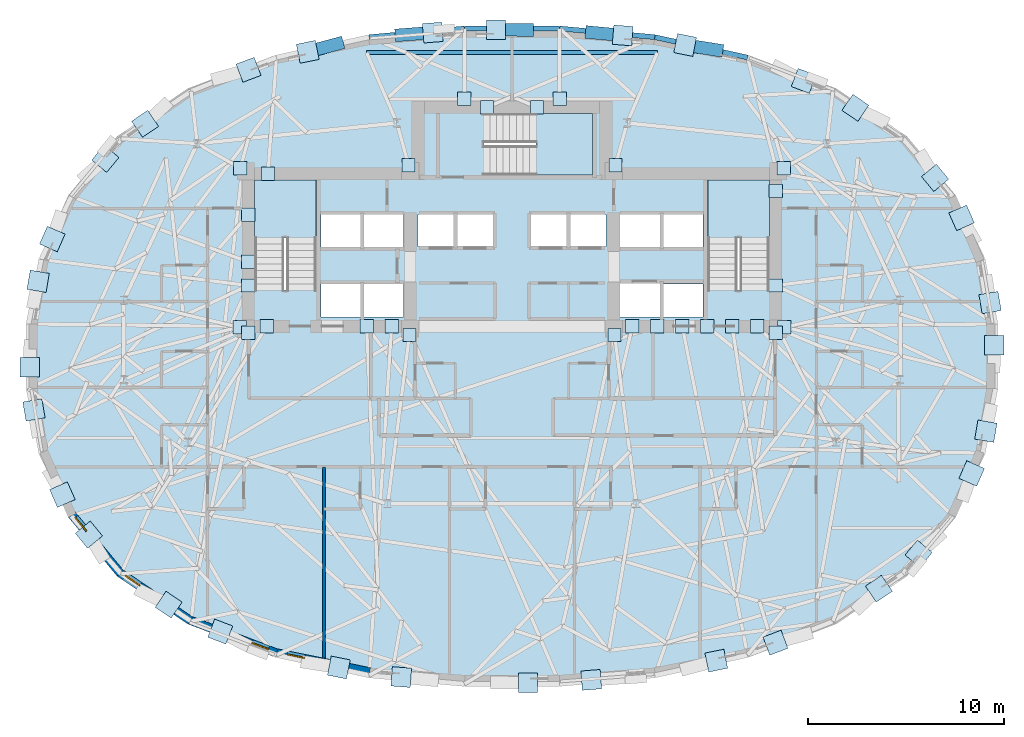
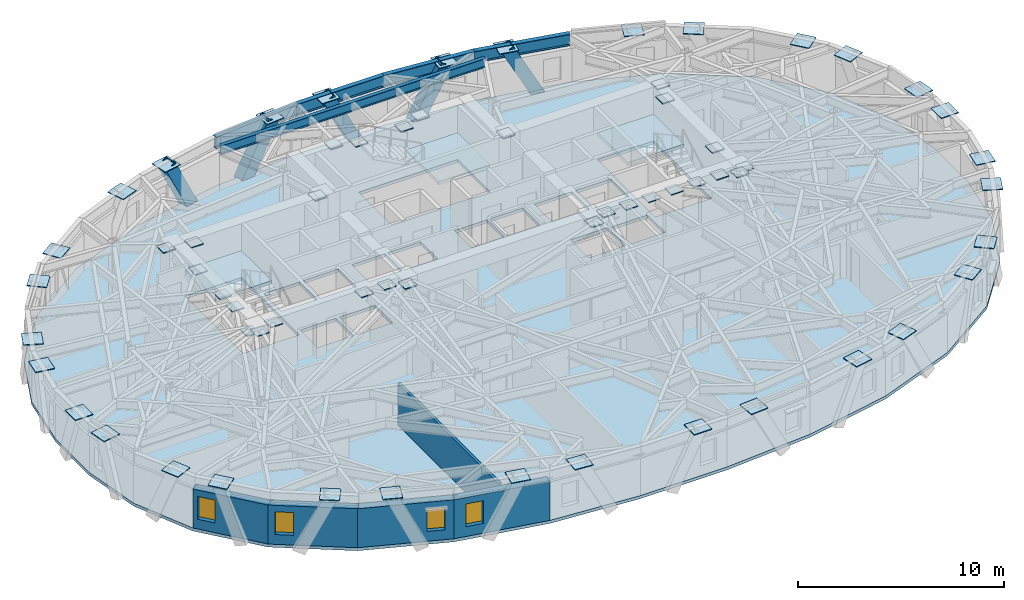
# One storey, part 5 of 15: 61 plates, 5 beams, 5 members, 5 walls, 4 slabs, 4 windows, 4 openings, 3 elements without a shape of their own.
"""IFC4 building model written with IfcOpenShell, lengths in metres."""

from ifc_helpers import new_model, si_unit, direction, frame, frame_2d, origin, origin_2d, place, context, subcontext, project, spatial, polyline, rectangle, hollow_rectangle, i_section, outline, extrude, material, layer, layer_set, material_profile, profile_set, type_object, element, fill, aggregate, save


model = new_model("IFC4")

# Units and contexts
model_context = context("Model", 3, precision=1e-05, world=origin(), true_north=direction((0.0, 1.0)))
body_context = subcontext(model_context, "Body", "Model", "MODEL_VIEW")
ifc_project = project(units=[si_unit("LENGTHUNIT", "METRE"), si_unit("AREAUNIT", "SQUARE_METRE"), si_unit("VOLUMEUNIT", "CUBIC_METRE"), si_unit("PLANEANGLEUNIT", "RADIAN"), si_unit("MASSUNIT", "GRAM", prefix="KILO")], contexts=[model_context])

# Site, building, storey
site_placement = place(None, origin())
site = spatial("IfcSite", under=ifc_project, at=site_placement, CompositionType="ELEMENT")
building_placement = place(site_placement, origin())
building = spatial("IfcBuilding", under=site, at=building_placement, Name="Keldmark Tower", CompositionType="ELEMENT")
storey_placement = place(building_placement, frame((0.0, 0.0, 150.199951171875)))
storey = spatial("IfcBuildingStorey", under=building, at=storey_placement, Name="L40", CompositionType="ELEMENT", Elevation=150.199951171875)

# Members
ifc_material_1 = material(Name="Steel ASTM A572 Grade 50", Category="steel")
ifc_material_profile_1 = material_profile(ifc_material_1, hollow_rectangle(XDim=0.64990234375, YDim=0.64990234375, WallThickness=0.0400390625, at=origin_2d()), Name="BOX650X650X40")
ifc_profile_set_1 = profile_set([ifc_material_profile_1], Name="Steel ASTM A572 Grade 50")
member_type = type_object("IfcMemberType", Name="Diagrid Zone 3 Brace BOX650X650X40", PredefinedType="BRACE", material=ifc_profile_set_1)
member_1_placement = place(storey_placement, frame((10.4892578125, 15.640869140625, -0.260009765625), z_axis=(-0.460076413908, 0.072942278401, 0.884878024016), x_axis=(-0.156588037619, -0.987664004849, 0.0)))
element("IfcMember", 1, at=member_1_placement, inside=storey, type_object=member_type, Name="L40 Perimeter Diagrid Brace 03B", PredefinedType="BRACE", context=body_context, shape_type="SweptSolid", body=[
    extrude(hollow_rectangle(XDim=0.64990234375, YDim=0.64990234375, WallThickness=0.0400390625, at=origin_2d()), origin(), (0.0, 0.0, 1.0), 3.5712890625),
])
member_2_placement = place(storey_placement, frame((4.041015625, 16.54150390625, -0.260009765625), z_axis=(0.454817732404, -0.042540371163, 0.889567955309), x_axis=(0.093126324045, 0.995654301337, 0.0)))
element("IfcMember", 2, at=member_2_placement, inside=storey, type_object=member_type, Name="L40 Perimeter Diagrid Brace 04A", PredefinedType="BRACE", context=body_context, shape_type="SweptSolid", body=[
    extrude(hollow_rectangle(XDim=0.64990234375, YDim=0.64990234375, WallThickness=0.0400390625, at=origin_2d()), origin(), (0.0, 0.0, 1.0), 3.552490234375),
])
member_3_placement = place(storey_placement, frame((0.80419921875, 16.666748046875, -0.260009765625), z_axis=(-0.456424007227, 0.004330528984, 0.889751859872), x_axis=(-0.009487524778, -0.999954992424, 0.0)))
element("IfcMember", 3, at=member_3_placement, inside=storey, type_object=member_type, Name="L40 Perimeter Diagrid Brace 04B", PredefinedType="BRACE", context=body_context, shape_type="SweptSolid", body=[
    extrude(hollow_rectangle(XDim=0.64990234375, YDim=0.64990234375, WallThickness=0.0400390625, at=origin_2d()), origin(), (0.0, 0.0, 1.0), 3.5517578125),
])
member_4_placement = place(storey_placement, frame((-5.680419921875, 16.41162109375, -0.260009765625), z_axis=(0.458757917557, 0.034708658236, 0.88788314666), x_axis=(-0.075442282616, 0.997150170232, 0.0)))
element("IfcMember", 4, at=member_4_placement, inside=storey, type_object=member_type, Name="L40 Perimeter Diagrid Brace 05A", PredefinedType="BRACE", context=body_context, shape_type="SweptSolid", body=[
    extrude(hollow_rectangle(XDim=0.64990234375, YDim=0.64990234375, WallThickness=0.0400390625, at=origin_2d()), origin(), (0.0, 0.0, 1.0), 3.55908203125),
])
member_5_placement = place(storey_placement, frame((-8.8984375, 15.96142578125, -0.260009765625), z_axis=(-0.434777676357, -0.116179880512, 0.893012098186), x_axis=(0.258158777298, -0.96610250269, 0.0)))
element("IfcMember", 5, at=member_5_placement, inside=storey, type_object=member_type, Name="L40 Perimeter Diagrid Brace 05B", PredefinedType="BRACE", context=body_context, shape_type="SweptSolid", body=[
    extrude(hollow_rectangle(XDim=0.64990234375, YDim=0.64990234375, WallThickness=0.0400390625, at=origin_2d()), origin(), (0.0, 0.0, 1.0), 3.538818359375),
])

# Beams
ifc_material_2 = material(Name="Steel ASTM A992 Grade 50", Category="steel")
ifc_material_profile_2 = material_profile(ifc_material_2, i_section(OverallWidth=0.2099609375, OverallDepth=0.537109375, WebThickness=0.010986328125, FlangeThickness=0.017333984375, at=origin_2d()), Name="W21X68")
ifc_profile_set_2 = profile_set([ifc_material_profile_2], Name="Steel ASTM A992 Grade 50")
beam_type_1 = type_object("IfcBeamType", Name="Radial Tie Girder W21X68", PredefinedType="BEAM", material=ifc_profile_set_2)
beam_1_placement = place(storey_placement, frame((-7.43017578125, 15.515869140625, 2.75146484375), z_axis=(1.0, 0.0, 0.0), x_axis=(0.0, 1.0, 0.0)))
element("IfcBeam", 6, at=beam_1_placement, inside=storey, type_object=beam_type_1, Name="L40 North Outer Header Girder FG-TCN-H1", PredefinedType="BEAM", context=body_context, shape_type="SweptSolid", body=[
    extrude(i_section(OverallWidth=0.2099609375, OverallDepth=0.537109375, WebThickness=0.010986328125, FlangeThickness=0.017333984375, at=origin_2d()), origin(), (0.0, 0.0, 1.0), 14.8603515625),
])
ifc_material_3 = material(Name="Steel ASTM A992 Grade 50", Category="steel")
ifc_material_profile_3 = material_profile(ifc_material_3, i_section(OverallWidth=0.256103515625, OverallDepth=0.693115234375, WebThickness=0.014404296875, FlangeThickness=0.023681640625, at=origin_2d()), Name="W27X114")
ifc_profile_set_3 = profile_set([ifc_material_profile_3], Name="Steel ASTM A992 Grade 50")
beam_type_2 = type_object("IfcBeamType", Name="Spandrel Ring Beam W27X114", PredefinedType="SPANDREL", material=ifc_profile_set_3)
beam_2_placement = place(storey_placement, frame((12.0341796875, 15.260986328125, 2.673583984375), z_axis=(-0.976767211892, 0.214303088576, 0.0), x_axis=(-0.214303088576, -0.976767211892, 0.0)))
element("IfcBeam", 7, at=beam_2_placement, inside=storey, type_object=beam_type_2, Name="L40 Perimeter Spandrel Ring Beam SRB-06", PredefinedType="SPANDREL", context=body_context, shape_type="SweptSolid", body=[
    extrude(i_section(OverallWidth=0.256103515625, OverallDepth=0.693115234375, WebThickness=0.014404296875, FlangeThickness=0.023681640625, at=origin_2d()), origin(), (0.0, 0.0, 1.0), 4.85205078125),
])
beam_3_placement = place(storey_placement, frame((7.294921875, 16.30078125, 2.673583984375), z_axis=(-0.995909176303, 0.090359905683, 0.0), x_axis=(-0.090359905683, -0.995909176303, 0.0)))
element("IfcBeam", 8, at=beam_3_placement, inside=storey, type_object=beam_type_2, Name="L40 Perimeter Spandrel Ring Beam SRB-07", PredefinedType="SPANDREL", context=body_context, shape_type="SweptSolid", body=[
    extrude(i_section(OverallWidth=0.256103515625, OverallDepth=0.693115234375, WebThickness=0.014404296875, FlangeThickness=0.023681640625, at=origin_2d()), origin(), (0.0, 0.0, 1.0), 4.88232421875),
])
beam_4_placement = place(storey_placement, frame((2.4326171875, 16.741943359375, 2.673583984375), z_axis=(-1.0, 0.0, 0.0), x_axis=(0.0, -1.0, 0.0)))
element("IfcBeam", 9, at=beam_4_placement, inside=storey, type_object=beam_type_2, Name="L40 Perimeter Spandrel Ring Beam SRB-08", PredefinedType="SPANDREL", context=body_context, shape_type="SweptSolid", body=[
    extrude(i_section(OverallWidth=0.256103515625, OverallDepth=0.693115234375, WebThickness=0.014404296875, FlangeThickness=0.023681640625, at=origin_2d()), origin(), (0.0, 0.0, 1.0), 4.865234375),
])
beam_5_placement = place(storey_placement, frame((-2.4326171875, 16.741943359375, 2.673583984375), z_axis=(-0.995909176303, -0.090359905683, 0.0), x_axis=(0.090359905683, -0.995909176303, 0.0)))
element("IfcBeam", 10, at=beam_5_placement, inside=storey, type_object=beam_type_2, Name="L40 Perimeter Spandrel Ring Beam SRB-09", PredefinedType="SPANDREL", context=body_context, shape_type="SweptSolid", body=[
    extrude(i_section(OverallWidth=0.256103515625, OverallDepth=0.693115234375, WebThickness=0.014404296875, FlangeThickness=0.023681640625, at=origin_2d()), origin(), (0.0, 0.0, 1.0), 4.88232421875),
])

# Plates
ifc_material_4 = material(Name="Steel ASTM A572 Grade 50", Category="steel")
ifc_layer_1 = layer(ifc_material_4, 0.06005859375)
ifc_layer_set_1 = layer_set([ifc_layer_1], Name="Steel ASTM A572 Grade 50")
plate_type_1 = type_object("IfcPlateType", Name="Belt Truss Kink Node Assembly KN01 60 mm", PredefinedType="USERDEFINED", material=ifc_layer_set_1)
for number, where, z_axis, x_axis, name in (
    (11, (13.91162109375, 1.473388671875, 2.72412109375), (0.0, 0.0, 1.0), (1.0, 0.0, 0.0), "L40 Core Wall Cast-In Embed Plate 1175"),
    (12, (13.878173828125, 9.608154296875, 2.72412109375), (0.0, 0.0, 1.0), (1.0, 0.0, 0.0), "L40 Core Wall Cast-In Embed Plate 1176"),
    (13, (5.28515625, 9.758544921875, 2.72412109375), (0.0, 0.0, 1.0), (1.0, 0.0, 0.0), "L40 Core Wall Cast-In Embed Plate 1177"),
    (14, (-5.28515625, 9.758544921875, 2.72412109375), (0.0, 0.0, 1.0), (1.0, 0.0, 0.0), "L40 Core Wall Cast-In Embed Plate 1178"),
    (15, (-13.878173828125, 9.608154296875, 2.72412109375), (0.0, 0.0, 1.0), (1.0, 0.0, 0.0), "L40 Core Wall Cast-In Embed Plate 1179"),
    (16, (-13.91162109375, 1.473388671875, 2.72412109375), (0.0, 0.0, 1.0), (1.0, 0.0, 0.0), "L40 Core Wall Cast-In Embed Plate 1180"),
    (17, (-5.24072265625, 1.08251953125, 2.72412109375), (0.0, 0.0, 1.0), (1.0, 0.0, 0.0), "L40 Core Wall Cast-In Embed Plate 1181"),
    (18, (5.24072265625, 1.08251953125, 2.72412109375), (0.0, 0.0, 1.0), (1.0, 0.0, 0.0), "L40 Core Wall Cast-In Embed Plate 1182"),
    (19, (-12.52490234375, 1.52490234375, 2.72412109375), (0.0, 0.0, 1.0), (1.0, 0.0, 0.0), "L40 Core Wall Cast-In Embed Plate 1183"),
    (20, (11.25, 1.52490234375, 2.72412109375), (0.0, 0.0, 1.0), (1.0, 0.0, 0.0), "L40 Core Wall Cast-In Embed Plate 1184"),
    (21, (13.47509765625, 3.6142578125, 2.72412109375), (0.0, 0.0, 1.0), (1.0, 0.0, 0.0), "L40 Core Wall Cast-In Embed Plate 1185"),
    (22, (13.47509765625, 8.44287109375, 2.72412109375), (0.0, 0.0, 1.0), (1.0, 0.0, 0.0), "L40 Core Wall Cast-In Embed Plate 1186"),
    (23, (-12.468017578125, 9.324951171875, 2.72412109375), (0.0, 0.0, 1.0), (1.0, 0.0, 0.0), "L40 Core Wall Cast-In Embed Plate 1187"),
    (24, (-13.47509765625, 4.8212890625, 2.72412109375), (0.0, 0.0, 1.0), (1.0, 0.0, 0.0), "L40 Core Wall Cast-In Embed Plate 1188"),
    (25, (-13.47509765625, 3.6142578125, 2.72412109375), (0.0, 0.0, 1.0), (1.0, 0.0, 0.0), "L40 Core Wall Cast-In Embed Plate 1189"),
    (26, (-13.47509765625, 1.199951171875, 2.72412109375), (0.0, 0.0, 1.0), (1.0, 0.0, 0.0), "L40 Core Wall Cast-In Embed Plate 1190"),
    (27, (-13.47509765625, 7.235595703125, 2.72412109375), (0.0, 0.0, 1.0), (1.0, 0.0, 0.0), "L40 Core Wall Cast-In Embed Plate 1191"),
    (28, (7.425048828125, 1.52490234375, 2.72412109375), (0.0, 0.0, 1.0), (1.0, 0.0, 0.0), "L40 Core Wall Cast-In Embed Plate 1192"),
    (29, (-7.425048828125, 1.52490234375, 2.72412109375), (0.0, 0.0, 1.0), (1.0, 0.0, 0.0), "L40 Core Wall Cast-In Embed Plate 1193"),
    (30, (-6.14990234375, 1.52490234375, 2.72412109375), (0.0, 0.0, 1.0), (1.0, 0.0, 0.0), "L40 Core Wall Cast-In Embed Plate 1194"),
    (31, (6.14990234375, 1.52490234375, 2.72412109375), (0.0, 0.0, 1.0), (1.0, 0.0, 0.0), "L40 Core Wall Cast-In Embed Plate 1195"),
    (32, (13.47509765625, 1.199951171875, 2.72412109375), (0.0, 0.0, 1.0), (1.0, 0.0, 0.0), "L40 Core Wall Cast-In Embed Plate 1196"),
    (33, (8.699951171875, 1.52490234375, 2.72412109375), (0.0, 0.0, 1.0), (1.0, 0.0, 0.0), "L40 Core Wall Cast-In Embed Plate 1197"),
    (34, (9.97509765625, 1.52490234375, 2.72412109375), (0.0, 0.0, 1.0), (1.0, 0.0, 0.0), "L40 Core Wall Cast-In Embed Plate 1198"),
    (35, (12.52490234375, 1.52490234375, 2.72412109375), (0.0, 0.0, 1.0), (1.0, 0.0, 0.0), "L40 Core Wall Cast-In Embed Plate 1199"),
    (36, (2.4326171875, 13.14990234375, 2.72412109375), (0.0, 0.0, 1.0), (1.0, 0.0, 0.0), "L40 Core Wall Cast-In Embed Plate 1200"),
    (37, (-2.4326171875, 13.14990234375, 2.72412109375), (0.0, 0.0, 1.0), (1.0, 0.0, 0.0), "L40 Core Wall Cast-In Embed Plate 1201"),
    (38, (-1.28125, 12.72509765625, 2.72412109375), (0.0, 0.0, 1.0), (1.0, 0.0, 0.0), "L40 Core Wall Cast-In Embed Plate 1202"),
    (39, (1.28125, 12.72509765625, 2.72412109375), (0.0, 0.0, 1.0), (1.0, 0.0, 0.0), "L40 Core Wall Cast-In Embed Plate 1203"),
):
    element("IfcPlate", number, at=place(storey_placement, frame(where, z_axis=z_axis, x_axis=x_axis)), inside=storey, type_object=plate_type_1, Name=name, ObjectType="CAP PLATE", PredefinedType="USERDEFINED", context=body_context, shape_type="SweptSolid", body=[
        extrude(rectangle(XDim=0.679931640625, YDim=0.679931640625, at=origin_2d()), origin(), (0.0, 0.0, 1.0), 0.054931640625),
    ])
ifc_material_5 = material(Name="Steel ASTM A572 Grade 50", Category="steel")
ifc_layer_2 = layer(ifc_material_5, 0.044921875)
ifc_layer_set_2 = layer_set([ifc_layer_2], Name="Steel ASTM A572 Grade 50")
plate_type_2 = type_object("IfcPlateType", Name="Diagrid Node Assembly DN04 45 mm", PredefinedType="USERDEFINED", material=ifc_layer_set_2)
for number, where, z_axis, x_axis, name in (
    (40, (24.422119140625, 2.74169921875, 2.877685546875), (0.0, 0.0, 1.0), (-0.168145293887, 0.985762222924, 0.0), "L40 Diagrid Node Assembly 01"),
    (41, (22.968017578125, 7.069091796875, 2.877685546875), (0.0, 0.0, 1.0), (-0.404024312775, 0.914748246616, 0.0), "L40 Diagrid Node Assembly 02"),
    (42, (21.614990234375, 9.11376953125, 2.877685546875), (0.0, 0.0, 1.0), (-0.6370204626, 0.770846891561, 0.0), "L40 Diagrid Node Assembly 03"),
    (43, (17.540771484375, 12.692626953125, 2.877685546875), (0.0, 0.0, 1.0), (-0.827766671236, 0.56107248907, 0.0), "L40 Diagrid Node Assembly 04"),
    (44, (14.902099609375, 14.0673828125, 2.877685546875), (0.0, 0.0, 1.0), (-0.934887640014, 0.354943799141, 0.0), "L40 Diagrid Node Assembly 05"),
    (45, (8.84619140625, 15.9013671875, 2.877685546875), (0.0, 0.0, 1.0), (-0.980028959096, 0.198854819736, 0.0), "L40 Diagrid Node Assembly 06"),
    (46, (5.65673828125, 16.390380859375, 2.877685546875), (0.0, 0.0, 1.0), (-0.996944660388, 0.078111101158, 0.0), "L40 Diagrid Node Assembly 07"),
    (47, (-0.81689453125, 16.68212890625, 2.877685546875), (0.0, 0.0, 1.0), (-1.0, 0.0, 0.0), "L40 Diagrid Node Assembly 08"),
    (48, (-4.047607421875, 16.53515625, 2.877685546875), (0.0, 0.0, 1.0), (-0.996944660388, -0.078111101158, 0.0), "L40 Diagrid Node Assembly 09"),
    (49, (-10.43701171875, 15.55029296875, 2.877685546875), (0.0, 0.0, 1.0), (-0.980028959096, -0.198854819736, 0.0), "L40 Diagrid Node Assembly 10"),
    (50, (-13.458740234375, 14.634521484375, 2.877685546875), (0.0, 0.0, 1.0), (-0.934887640014, -0.354943799141, 0.0), "L40 Diagrid Node Assembly 11"),
    (51, (-18.742919921875, 11.875, 2.877685546875), (0.0, 0.0, 1.0), (-0.827766671236, -0.56107248907, 0.0), "L40 Diagrid Node Assembly 12"),
    (52, (-20.77490234375, 10.089111328125, 2.877685546875), (0.0, 0.0, 1.0), (-0.6370204626, -0.770846891561, 0.0), "L40 Diagrid Node Assembly 13"),
    (53, (-23.48388671875, 5.9873046875, 2.877685546875), (0.0, 0.0, 1.0), (-0.404024312775, -0.914748246616, 0.0), "L40 Diagrid Node Assembly 14"),
    (54, (-24.20751953125, 3.828857421875, 2.877685546875), (0.0, 0.0, 1.0), (-0.168145293887, -0.985762222924, 0.0), "L40 Diagrid Node Assembly 15"),
    (55, (-24.638916015625, -0.555419921875, 2.877685546875), (0.0, 0.0, 1.0), (0.0, -1.0, 0.0), "L40 Diagrid Node Assembly 16"),
    (56, (-24.422119140625, -2.74169921875, 2.877685546875), (0.0, 0.0, 1.0), (0.168145293887, -0.985762222924, 0.0), "L40 Diagrid Node Assembly 17"),
    (57, (-22.968017578125, -7.069091796875, 2.877685546875), (0.0, 0.0, 1.0), (0.404024312775, -0.914748246616, 0.0), "L40 Diagrid Node Assembly 18"),
    (58, (-21.614990234375, -9.11376953125, 2.877685546875), (0.0, 0.0, 1.0), (0.6370204626, -0.770846891561, 0.0), "L40 Diagrid Node Assembly 19"),
    (59, (-17.540771484375, -12.692626953125, 2.877685546875), (0.0, 0.0, 1.0), (0.827766671236, -0.56107248907, 0.0), "L40 Diagrid Node Assembly 20"),
    (60, (-14.902099609375, -14.0673828125, 2.877685546875), (0.0, 0.0, 1.0), (0.934887640014, -0.354943799141, 0.0), "L40 Diagrid Node Assembly 21"),
    (61, (-8.84619140625, -15.9013671875, 2.877685546875), (0.0, 0.0, 1.0), (0.980028959096, -0.198854819736, 0.0), "L40 Diagrid Node Assembly 22"),
    (62, (-5.65673828125, -16.390380859375, 2.877685546875), (0.0, 0.0, 1.0), (0.996944660388, -0.078111101158, 0.0), "L40 Diagrid Node Assembly 23"),
    (63, (0.81689453125, -16.68212890625, 2.877685546875), (0.0, 0.0, 1.0), (1.0, 0.0, 0.0), "L40 Diagrid Node Assembly 24"),
    (64, (4.047607421875, -16.53515625, 2.877685546875), (0.0, 0.0, 1.0), (0.996944660388, 0.078111101158, 0.0), "L40 Diagrid Node Assembly 25"),
    (65, (10.43701171875, -15.55029296875, 2.877685546875), (0.0, 0.0, 1.0), (0.980028959096, 0.198854819736, 0.0), "L40 Diagrid Node Assembly 26"),
    (66, (13.458740234375, -14.634521484375, 2.877685546875), (0.0, 0.0, 1.0), (0.934887640014, 0.354943799141, 0.0), "L40 Diagrid Node Assembly 27"),
    (67, (18.742919921875, -11.875, 2.877685546875), (0.0, 0.0, 1.0), (0.827766671236, 0.56107248907, 0.0), "L40 Diagrid Node Assembly 28"),
    (68, (20.77490234375, -10.089111328125, 2.877685546875), (0.0, 0.0, 1.0), (0.6370204626, 0.770846891561, 0.0), "L40 Diagrid Node Assembly 29"),
    (69, (23.48388671875, -5.9873046875, 2.877685546875), (0.0, 0.0, 1.0), (0.404024312775, 0.914748246616, 0.0), "L40 Diagrid Node Assembly 30"),
    (70, (24.20751953125, -3.828857421875, 2.877685546875), (0.0, 0.0, 1.0), (0.168145293887, 0.985762222924, 0.0), "L40 Diagrid Node Assembly 31"),
    (71, (24.638916015625, 0.555419921875, 2.877685546875), (0.0, 0.0, 1.0), (0.0, 1.0, 0.0), "L40 Diagrid Node Assembly 32"),
):
    element("IfcPlate", number, at=place(storey_placement, frame(where, z_axis=z_axis, x_axis=x_axis)), inside=storey, type_object=plate_type_2, Name=name, ObjectType="GUSSET", PredefinedType="USERDEFINED", context=body_context, shape_type="SweptSolid", body=[
        extrude(rectangle(XDim=0.989990234375, YDim=0.989990234375, at=origin_2d()), origin(), (0.0, 0.0, 1.0), 0.044921875),
    ])

# Slab
ifc_material_6 = material(Name="Concrete C35/45", Category="concrete")
ifc_layer_3 = layer(ifc_material_6, 0.179931640625)
ifc_layer_set_3 = layer_set([ifc_layer_3], Name="Concrete C35/45")
slab_type_1 = type_object("IfcSlabType", Name="Hotel and Residential Slab 180 mm", PredefinedType="FLOOR", material=ifc_layer_set_3)
slab_1_placement = place(storey_placement, frame((0.0, 0.0, -0.179931640625)))
element("IfcSlab", 72, at=slab_1_placement, inside=storey, type_object=slab_type_1, Name="L40 Composite Structural Floor Slab", PredefinedType="FLOOR", context=body_context, shape_type="SweptSolid", body=[
    extrude(outline(polyline([(24.67626953125, 1.6474609375), (24.11181640625, 4.9580078125), (22.67333984375, 8.21484375), (20.183349609375, 11.227783203125), (16.564208984375, 13.680908203125), (12.119140625, 15.368896484375), (7.314208984375, 16.343994140625), (2.430419921875, 16.7265625), (-2.430419921875, 16.7265625), (-7.314208984375, 16.343994140625), (-12.119140625, 15.368896484375), (-16.564208984375, 13.680908203125), (-20.183349609375, 11.227783203125), (-22.67333984375, 8.21484375), (-24.11181640625, 4.9580078125), (-24.67626953125, 1.6474609375), (-24.67626953125, -1.6474609375), (-24.11181640625, -4.9580078125), (-22.67333984375, -8.21484375), (-20.183349609375, -11.227783203125), (-16.564208984375, -13.680908203125), (-12.119140625, -15.368896484375), (-7.314208984375, -16.343994140625), (-2.430419921875, -16.7265625), (2.430419921875, -16.7265625), (7.314208984375, -16.343994140625), (12.119140625, -15.368896484375), (16.564208984375, -13.680908203125), (20.183349609375, -11.227783203125), (22.67333984375, -8.21484375), (24.11181640625, -4.9580078125), (24.67626953125, -1.6474609375), (24.67626953125, 1.6474609375)]), holes=[polyline([(-10.0, 3.385009765625), (-10.0, 9.0), (-13.14990234375, 9.0), (-13.14990234375, 3.385009765625), (-10.0, 3.385009765625)]), polyline([(13.14990234375, 3.385009765625), (13.14990234375, 9.0), (10.0, 9.0), (10.0, 3.385009765625), (13.14990234375, 3.385009765625)]), polyline([(-1.43994140625, 9.25), (4.10498046875, 9.25), (4.10498046875, 12.39990234375), (-1.43994140625, 12.39990234375), (-1.43994140625, 9.25)]), polyline([(-9.75, 2.0), (-7.75, 2.0), (-7.75, 3.699951171875), (-9.75, 3.699951171875), (-9.75, 2.0)]), polyline([(7.75, 2.0), (9.75, 2.0), (9.75, 3.699951171875), (7.75, 3.699951171875), (7.75, 2.0)]), polyline([(5.449951171875, 2.0), (7.550048828125, 2.0), (7.550048828125, 3.75), (5.449951171875, 3.75), (5.449951171875, 2.0)]), polyline([(-4.800048828125, 5.60009765625), (-2.949951171875, 5.60009765625), (-2.949951171875, 7.25), (-4.800048828125, 7.25), (-4.800048828125, 5.60009765625)]), polyline([(-2.800048828125, 5.60009765625), (-0.949951171875, 5.60009765625), (-0.949951171875, 7.25), (-2.800048828125, 7.25), (-2.800048828125, 5.60009765625)]), polyline([(0.949951171875, 5.60009765625), (2.800048828125, 5.60009765625), (2.800048828125, 7.25), (0.949951171875, 7.25), (0.949951171875, 5.60009765625)]), polyline([(2.949951171875, 5.60009765625), (4.800048828125, 5.60009765625), (4.800048828125, 7.25), (2.949951171875, 7.25), (2.949951171875, 5.60009765625)]), polyline([(-9.75, 5.550048828125), (-7.75, 5.550048828125), (-7.75, 7.25), (-9.75, 7.25), (-9.75, 5.550048828125)]), polyline([(-7.550048828125, 5.550048828125), (-5.550048828125, 5.550048828125), (-5.550048828125, 7.25), (-7.550048828125, 7.25), (-7.550048828125, 5.550048828125)]), polyline([(-7.550048828125, 2.0), (-5.550048828125, 2.0), (-5.550048828125, 3.699951171875), (-7.550048828125, 3.699951171875), (-7.550048828125, 2.0)]), polyline([(5.449951171875, 5.550048828125), (7.550048828125, 5.550048828125), (7.550048828125, 7.25), (5.449951171875, 7.25), (5.449951171875, 5.550048828125)]), polyline([(7.75, 5.550048828125), (9.75, 5.550048828125), (9.75, 7.25), (7.75, 7.25), (7.75, 5.550048828125)])]), origin(), (0.0, 0.0, 1.0), 0.179931640625),
])

# Stair, slab
ifc_material_7 = material(Name="Concrete C40/50", Category="concrete")
stair_type = type_object("IfcStairType", Name="Precast Concrete Core Exit Stair", PredefinedType="HALF_TURN_STAIR", material=ifc_material_7)
stair_1_placement = place(storey_placement, origin())
stair_1 = element("IfcStair", 73, at=stair_1_placement, inside=storey, type_object=stair_type, Name="L40 Exit Stair ST1", PredefinedType="HALF_TURN_STAIR")
ifc_material_8 = material(Name="Concrete C40/50", Category="concrete")
ifc_layer_4 = layer(ifc_material_8, 0.199951171875)
ifc_layer_set_4 = layer_set([ifc_layer_4], Name="Concrete C40/50")
slab_type_2 = type_object("IfcSlabType", Name="Reinforced Concrete Stair Landing 200 mm", PredefinedType="LANDING", material=ifc_layer_set_4)
slab_2_placement = place(storey_placement, frame((0.0, 0.0, 1.400146484375)))
slab_2 = element("IfcSlab", 74, at=slab_2_placement, type_object=slab_type_2, Name="ST1 landing 1", PredefinedType="LANDING", context=body_context, shape_type="SweptSolid", body=[
    extrude(outline(polyline([(-10.0, 6.050048828125), (-10.0, 9.0), (-13.14990234375, 9.0), (-13.14990234375, 6.050048828125), (-10.0, 6.050048828125)])), origin(), (0.0, 0.0, 1.0), 0.199951171875),
])
aggregate(stair_1, [slab_2])

stair_2_placement = place(storey_placement, origin())
stair_2 = element("IfcStair", 75, at=stair_2_placement, inside=storey, type_object=stair_type, Name="L40 Exit Stair ST2", PredefinedType="HALF_TURN_STAIR")
slab_3_placement = place(storey_placement, frame((0.0, 0.0, 1.400146484375)))
slab_3 = element("IfcSlab", 76, at=slab_3_placement, type_object=slab_type_2, Name="ST2 landing 1", PredefinedType="LANDING", context=body_context, shape_type="SweptSolid", body=[
    extrude(outline(polyline([(13.14990234375, 6.050048828125), (13.14990234375, 9.0), (10.0, 9.0), (10.0, 6.050048828125), (13.14990234375, 6.050048828125)])), origin(), (0.0, 0.0, 1.0), 0.199951171875),
])
aggregate(stair_2, [slab_3])

stair_3_placement = place(storey_placement, origin())
stair_3 = element("IfcStair", 77, at=stair_3_placement, inside=storey, type_object=stair_type, Name="L40 Exit Stair ST3", PredefinedType="HALF_TURN_STAIR")
slab_4_placement = place(storey_placement, frame((0.0, 0.0, 1.400146484375)))
slab_4 = element("IfcSlab", 78, at=slab_4_placement, type_object=slab_type_2, Name="ST3 landing 1", PredefinedType="LANDING", context=body_context, shape_type="SweptSolid", body=[
    extrude(outline(polyline([(1.22509765625, 9.25), (4.10498046875, 9.25), (4.10498046875, 12.39990234375), (1.22509765625, 12.39990234375), (1.22509765625, 9.25)])), origin(), (0.0, 0.0, 1.0), 0.199951171875),
])
aggregate(stair_3, [slab_4])

# Wall, opening, window
ifc_material_9 = material(Name="Ironspot Manganese Brick and Kasota Buff Limestone Spandrel Assembly", Category="masonry")
ifc_layer_5 = layer(ifc_material_9, 0.43994140625)
ifc_layer_set_5 = layer_set([ifc_layer_5], Name="Ironspot Manganese Brick and Kasota Buff Limestone Spandrel Assembly")
wall_type_1 = type_object("IfcWallType", Name="Tower Brick Pier and Spandrel Wall 440 mm", PredefinedType="STANDARD", material=ifc_layer_set_5)
wall_1_placement = place(storey_placement, frame((-20.013916015625, -11.087646484375, 0.0), z_axis=(0.0, 0.0, 1.0), x_axis=(-0.637002505989, 0.77086173038, 0.0)))
wall_1 = element("IfcWall", 79, at=wall_1_placement, inside=storey, type_object=wall_type_1, Name="L40 Exterior Brick and Spandrel Wall 19", PredefinedType="STANDARD", context=body_context, shape_type="SweptSolid", body=[
    extrude(rectangle(XDim=3.908447265625, YDim=0.43994140625, at=frame_2d((1.9541015625, 0.0))), origin(), (0.0, 0.0, 1.0), 2.31494140625),
])
opening_1_placement = place(wall_1_placement, frame((2.759521484375, 0.0, 0.580078125)))
opening_1 = element("IfcOpeningElement", 80, at=opening_1_placement, cuts=wall_1, Name="Opening W-09", PredefinedType="OPENING", context=body_context, shape_type="SweptSolid", body=[
    extrude(rectangle(XDim=0.89990234375, YDim=1.35009765625, at=frame_2d((0.449951171875, 0.675048828125))), frame((0.0, 0.22998046875, 0.0), z_axis=(0.0, -1.0, 0.0), x_axis=(1.0, 0.0, 0.0)), (0.0, 0.0, 1.0), 0.4599609375),
])
ifc_material_10 = material(Name="Thermally Broken Anodized Aluminum and Triple Low-E Argon Glazing", Category="aluminium")
window_type = type_object("IfcWindowType", Name="Corner Pier Deep-Set Window 900x1350", PartitioningType="SINGLE_PANEL", PredefinedType="WINDOW", material=ifc_material_10)
window_1_placement = place(opening_1_placement, origin())
window_1 = element("IfcWindow", 81, at=window_1_placement, inside=storey, type_object=window_type, Name="L40 Deep-Set Window 19", OverallHeight=1.35009765625, OverallWidth=0.89990234375, PartitioningType="SINGLE_PANEL", PredefinedType="WINDOW", context=body_context, shape_type="SweptSolid", body=[
    extrude(rectangle(XDim=0.89990234375, YDim=1.35009765625, at=frame_2d((0.449951171875, 0.675048828125))), frame((0.0, -0.010009765625, 0.0), z_axis=(0.0, -1.0, 0.0), x_axis=(1.0, 0.0, 0.0)), (0.0, 0.0, 1.0), 0.06005859375),
])
fill(opening_1, window_1)

wall_2_placement = place(storey_placement, frame((-16.440673828125, -13.498779296875, 0.0), z_axis=(0.0, 0.0, 1.0), x_axis=(-0.827782339513, 0.561049372507, 0.0)))
wall_2 = element("IfcWall", 82, at=wall_2_placement, inside=storey, type_object=wall_type_1, Name="L40 Exterior Brick and Spandrel Wall 20", PredefinedType="STANDARD", context=body_context, shape_type="SweptSolid", body=[
    extrude(rectangle(XDim=4.372314453125, YDim=0.43994140625, at=frame_2d((2.18603515625, 0.0))), origin(), (0.0, 0.0, 1.0), 2.31494140625),
])
opening_2_placement = place(wall_2_placement, frame((3.123779296875, 0.0, 0.580078125)))
opening_2 = element("IfcOpeningElement", 83, at=opening_2_placement, cuts=wall_2, Name="Opening W-09", PredefinedType="OPENING", context=body_context, shape_type="SweptSolid", body=[
    extrude(rectangle(XDim=0.89990234375, YDim=1.35009765625, at=frame_2d((0.449951171875, 0.675048828125))), frame((0.0, 0.22998046875, 0.0), z_axis=(0.0, -1.0, 0.0), x_axis=(1.0, 0.0, 0.0)), (0.0, 0.0, 1.0), 0.4599609375),
])
window_2_placement = place(opening_2_placement, origin())
window_2 = element("IfcWindow", 84, at=window_2_placement, inside=storey, type_object=window_type, Name="L40 Deep-Set Window 20", OverallHeight=1.35009765625, OverallWidth=0.89990234375, PartitioningType="SINGLE_PANEL", PredefinedType="WINDOW", context=body_context, shape_type="SweptSolid", body=[
    extrude(rectangle(XDim=0.89990234375, YDim=1.35009765625, at=frame_2d((0.449951171875, 0.675048828125))), frame((0.0, -0.010009765625, 0.0), z_axis=(0.0, -1.0, 0.0), x_axis=(1.0, 0.0, 0.0)), (0.0, 0.0, 1.0), 0.06005859375),
])
fill(opening_2, window_2)

wall_3_placement = place(storey_placement, frame((-12.041015625, -15.1630859375, 0.0), z_axis=(0.0, 0.0, 1.0), x_axis=(-0.93488004884, 0.354963792916, 0.0)))
wall_3 = element("IfcWall", 85, at=wall_3_placement, inside=storey, type_object=wall_type_1, Name="L40 Exterior Brick and Spandrel Wall 21", PredefinedType="STANDARD", context=body_context, shape_type="SweptSolid", body=[
    extrude(rectangle(XDim=4.754638671875, YDim=0.43994140625, at=frame_2d((2.37744140625, 0.0))), origin(), (0.0, 0.0, 1.0), 2.31494140625),
])
opening_3_placement = place(wall_3_placement, frame((0.44677734375, 0.0, 0.580078125)))
opening_3 = element("IfcOpeningElement", 86, at=opening_3_placement, cuts=wall_3, Name="Opening W-09", PredefinedType="OPENING", context=body_context, shape_type="SweptSolid", body=[
    extrude(rectangle(XDim=0.89990234375, YDim=1.35009765625, at=frame_2d((0.449951171875, 0.675048828125))), frame((0.0, 0.22998046875, 0.0), z_axis=(0.0, -1.0, 0.0), x_axis=(1.0, 0.0, 0.0)), (0.0, 0.0, 1.0), 0.4599609375),
])
window_3_placement = place(opening_3_placement, origin())
window_3 = element("IfcWindow", 87, at=window_3_placement, inside=storey, type_object=window_type, Name="L40 Deep-Set Window 21", OverallHeight=1.35009765625, OverallWidth=0.89990234375, PartitioningType="SINGLE_PANEL", PredefinedType="WINDOW", context=body_context, shape_type="SweptSolid", body=[
    extrude(rectangle(XDim=0.89990234375, YDim=1.35009765625, at=frame_2d((0.449951171875, 0.675048828125))), frame((0.0, -0.010009765625, 0.0), z_axis=(0.0, -1.0, 0.0), x_axis=(1.0, 0.0, 0.0)), (0.0, 0.0, 1.0), 0.06005859375),
])
fill(opening_3, window_3)

wall_4_placement = place(storey_placement, frame((-7.2705078125, -16.12841796875, 0.0), z_axis=(0.0, 0.0, 1.0), x_axis=(-0.980021305588, 0.198892535291, 0.0)))
wall_4 = element("IfcWall", 88, at=wall_4_placement, inside=storey, type_object=wall_type_1, Name="L40 Exterior Brick and Spandrel Wall 22", PredefinedType="STANDARD", context=body_context, shape_type="SweptSolid", body=[
    extrude(rectangle(XDim=4.902587890625, YDim=0.43994140625, at=frame_2d((2.451171875, 0.0))), origin(), (0.0, 0.0, 1.0), 2.31494140625),
])
opening_4_placement = place(wall_4_placement, frame((3.407958984375, 0.0, 0.580078125)))
opening_4 = element("IfcOpeningElement", 89, at=opening_4_placement, cuts=wall_4, Name="Opening W-09", PredefinedType="OPENING", context=body_context, shape_type="SweptSolid", body=[
    extrude(rectangle(XDim=0.89990234375, YDim=1.35009765625, at=frame_2d((0.449951171875, 0.675048828125))), frame((0.0, 0.22998046875, 0.0), z_axis=(0.0, -1.0, 0.0), x_axis=(1.0, 0.0, 0.0)), (0.0, 0.0, 1.0), 0.4599609375),
])
window_4_placement = place(opening_4_placement, origin())
window_4 = element("IfcWindow", 90, at=window_4_placement, inside=storey, type_object=window_type, Name="L40 Deep-Set Window 22", OverallHeight=1.35009765625, OverallWidth=0.89990234375, PartitioningType="SINGLE_PANEL", PredefinedType="WINDOW", context=body_context, shape_type="SweptSolid", body=[
    extrude(rectangle(XDim=0.89990234375, YDim=1.35009765625, at=frame_2d((0.449951171875, 0.675048828125))), frame((0.0, -0.010009765625, 0.0), z_axis=(0.0, -1.0, 0.0), x_axis=(1.0, 0.0, 0.0)), (0.0, 0.0, 1.0), 0.06005859375),
])
fill(opening_4, window_4)

# Wall
ifc_material_11 = material(Name="Moisture-Resistant Gypsum Plumbing Partition", Category="gypsum")
ifc_layer_6 = layer(ifc_material_11, 0.14990234375)
ifc_layer_set_6 = layer_set([ifc_layer_6], Name="Moisture-Resistant Gypsum Plumbing Partition")
wall_type_2 = type_object("IfcWallType", Name="Wet Wall 150 mm", PredefinedType="PLUMBINGWALL", material=ifc_layer_set_6)
wall_5_placement = place(storey_placement, frame((-9.60009765625, -15.4228515625, 0.0), z_axis=(0.0, 0.0, 1.0), x_axis=(0.0, 1.0, 0.0)))
element("IfcWall", 91, at=wall_5_placement, inside=storey, type_object=wall_type_2, Name="L40 Wet Wall 150 mm HS-DIV-1", PredefinedType="PLUMBINGWALL", context=body_context, shape_type="SweptSolid", body=[
    extrude(rectangle(XDim=9.77294921875, YDim=0.14990234375, at=frame_2d((4.886474609375, 0.0))), origin(), (0.0, 0.0, 1.0), 2.47314453125),
])

save(model, "model.ifc")
